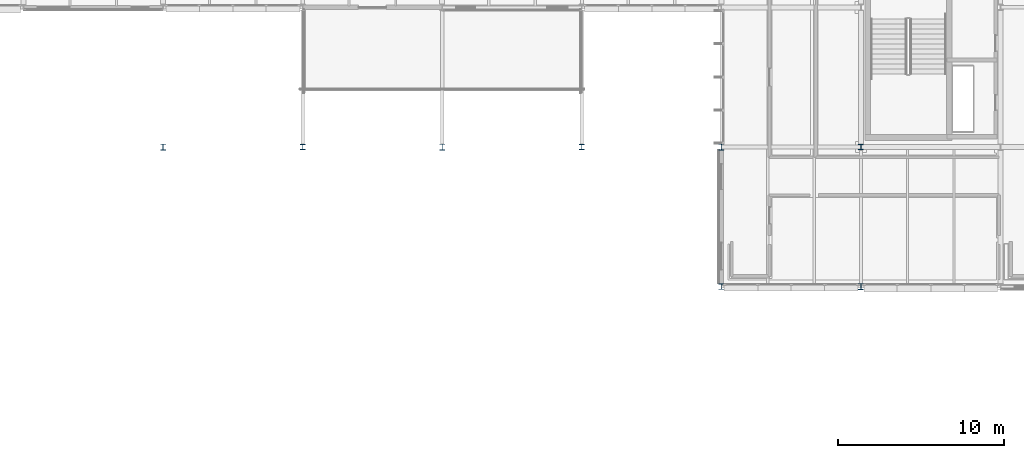
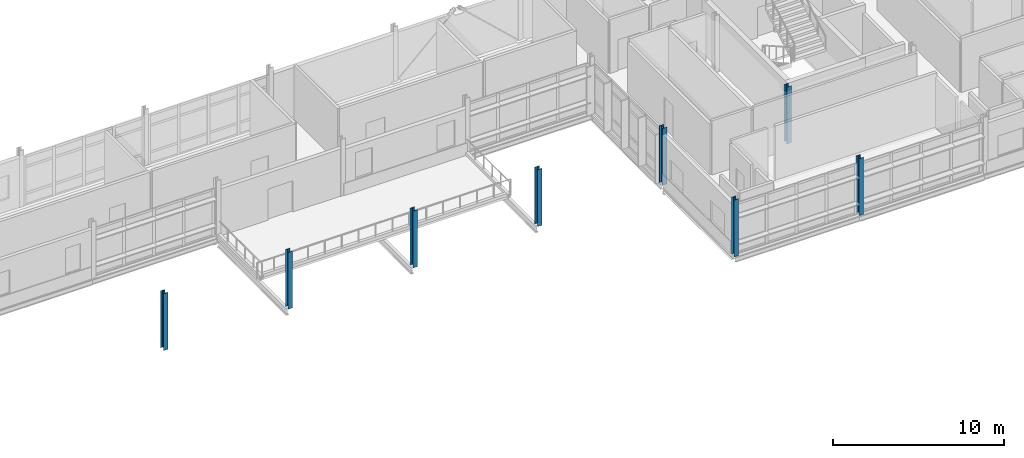
# One storey, part 2 of 57: 8 columns.
"""IFC4 building model written with IfcOpenShell, lengths in metres."""

from ifc_helpers import new_model, si_unit, direction, frame, origin, origin_2d, place, context, subcontext, project, spatial, i_section, extrude, material, material_profile, profile_set, type_object, element, save


model = new_model("IFC4")

# Units and contexts
model_context = context("Model", 3, precision=1e-05, world=origin(), true_north=direction((0.0, 1.0)))
body_context = subcontext(model_context, "Body", "Model", "MODEL_VIEW")
ifc_project = project(units=[si_unit("LENGTHUNIT", "METRE"), si_unit("AREAUNIT", "SQUARE_METRE"), si_unit("VOLUMEUNIT", "CUBIC_METRE"), si_unit("PLANEANGLEUNIT", "RADIAN"), si_unit("MASSUNIT", "GRAM", prefix="KILO")], contexts=[model_context])

# Site, building, storey
site_placement = place(None, origin())
site = spatial("IfcSite", under=ifc_project, at=site_placement, CompositionType="ELEMENT")
building_placement = place(site_placement, origin())
building = spatial("IfcBuilding", under=site, at=building_placement, Name="Mersafa Astral City Hall", CompositionType="ELEMENT")
storey_placement = place(building_placement, frame((0.0, 0.0, 26.10009765625)))
storey = spatial("IfcBuildingStorey", under=building, at=storey_placement, Name="L06", CompositionType="ELEMENT", Elevation=26.10009765625)

# Columns
ifc_material = material(Name="Steel S355", Category="steel")
ifc_material_profile_1 = material_profile(ifc_material, i_section(OverallWidth=0.300048828125, OverallDepth=0.340087890625, WebThickness=0.011962890625, FlangeThickness=0.021484375, FilletRadius=0.027099609375, at=origin_2d()), Name="HEB 340")
ifc_profile_set_1 = profile_set([ifc_material_profile_1], Name="Steel S355")
column_type_1 = type_object("IfcColumnType", Name="STR-COL-HEB340", PredefinedType="COLUMN", material=ifc_profile_set_1)
for number, where, z_axis, x_axis, name in (
    (1, (117.60009765625, 109.199951171875, 0.0), (0.0, 0.0, 1.0), (1.0, 0.0, 0.0), "L06 Structural column G-14-13"),
    (2, (134.39990234375, 109.199951171875, 0.0), (0.0, 0.0, 1.0), (1.0, 0.0, 0.0), "L06 Structural column G-16-13"),
    (3, (142.800048828125, 100.800048828125, 0.0), (0.0, 0.0, 1.0), (1.0, 0.0, 0.0), "L06 Structural column G-17-12"),
    (4, (151.199951171875, 109.199951171875, 0.0), (0.0, 0.0, 1.0), (1.0, 0.0, 0.0), "L06 Structural column G-18-13"),
):
    element("IfcColumn", number, at=place(storey_placement, frame(where, z_axis=z_axis, x_axis=x_axis)), inside=storey, type_object=column_type_1, Name=name, PredefinedType="COLUMN", context=body_context, shape_type="SweptSolid", body=[
        extrude(i_section(OverallWidth=0.300048828125, OverallDepth=0.340087890625, WebThickness=0.011962890625, FlangeThickness=0.021484375, FilletRadius=0.027099609375, at=origin_2d()), origin(), (0.0, 0.0, 1.0), 4.0498046875),
    ])
ifc_material_profile_2 = material_profile(ifc_material, i_section(OverallWidth=0.300048828125, OverallDepth=0.360107421875, WebThickness=0.012451171875, FlangeThickness=0.0224609375, FilletRadius=0.027099609375, at=origin_2d()), Name="HEB 360")
ifc_profile_set_2 = profile_set([ifc_material_profile_2], Name="Steel S355")
column_type_2 = type_object("IfcColumnType", Name="STR-COL-HEB360", PredefinedType="COLUMN", material=ifc_profile_set_2)
for number, where, z_axis, x_axis, name in (
    (5, (109.199951171875, 109.199951171875, 0.0), (0.0, 0.0, 1.0), (1.0, 0.0, 0.0), "L06 Structural column G-13-13"),
    (6, (126.0, 109.199951171875, 0.0), (0.0, 0.0, 1.0), (1.0, 0.0, 0.0), "L06 Structural column G-15-13"),
    (7, (142.800048828125, 109.199951171875, 0.0), (0.0, 0.0, 1.0), (1.0, 0.0, 0.0), "L06 Structural column G-17-13"),
    (8, (151.199951171875, 100.800048828125, 0.0), (0.0, 0.0, 1.0), (1.0, 0.0, 0.0), "L06 Structural column G-18-12"),
):
    element("IfcColumn", number, at=place(storey_placement, frame(where, z_axis=z_axis, x_axis=x_axis)), inside=storey, type_object=column_type_2, Name=name, PredefinedType="COLUMN", context=body_context, shape_type="SweptSolid", body=[
        extrude(i_section(OverallWidth=0.300048828125, OverallDepth=0.360107421875, WebThickness=0.012451171875, FlangeThickness=0.0224609375, FilletRadius=0.027099609375, at=origin_2d()), origin(), (0.0, 0.0, 1.0), 4.0498046875),
    ])

save(model, "model.ifc")
